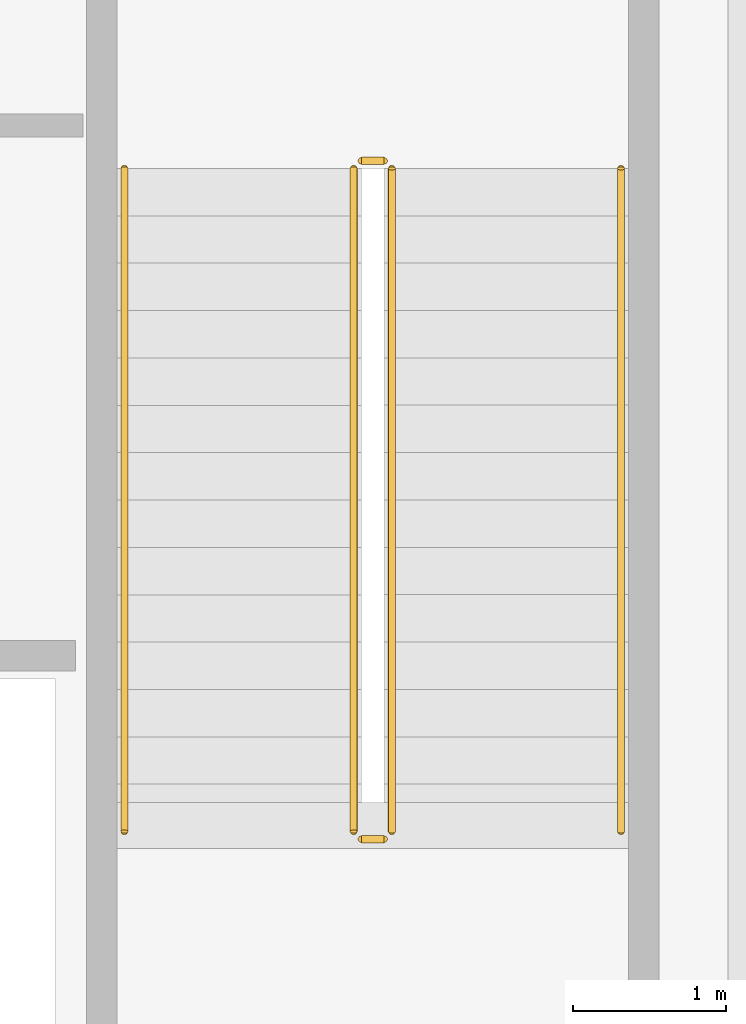
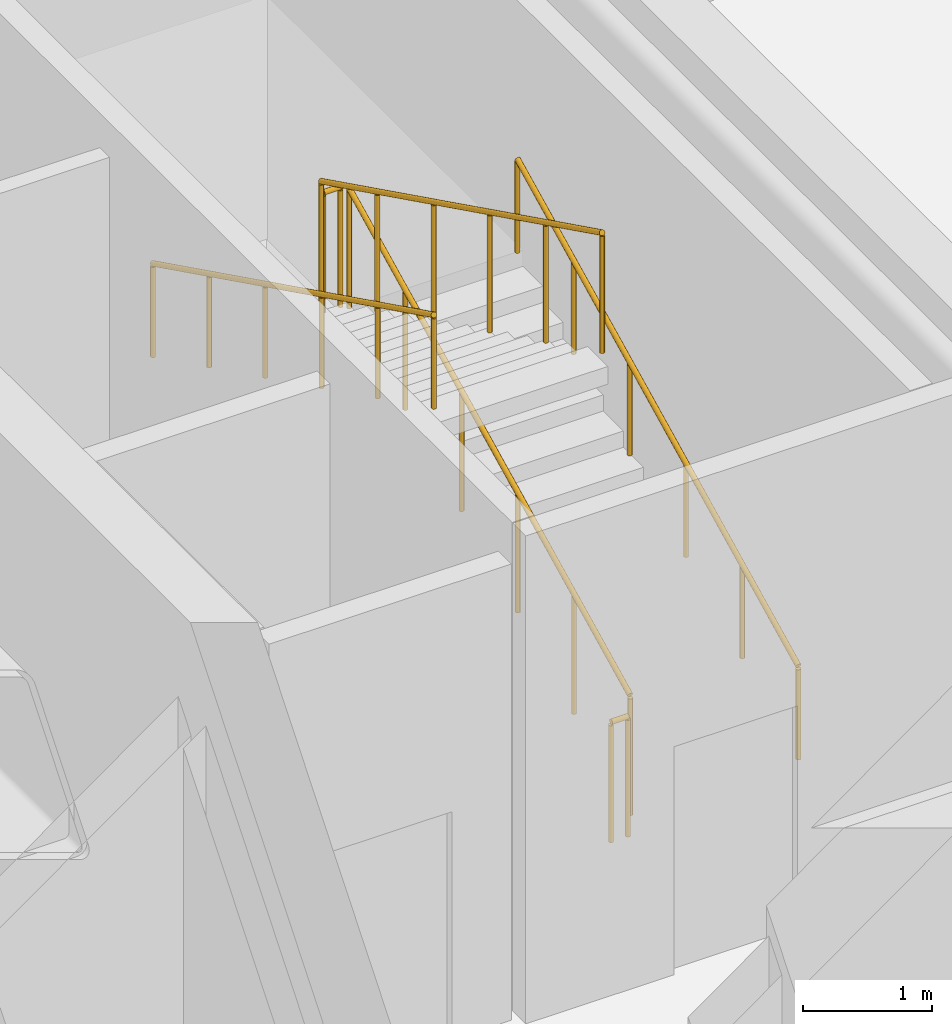
# One storey, part 13 of 14: 6 railings.
"""IFC4 building model written with IfcOpenShell, lengths in metres."""

from ifc_helpers import new_model, si_unit, direction, frame, origin, origin_2d, place, context, subcontext, project, spatial, circle, extrude, material, type_object, element, save


model = new_model("IFC4")

# Units and contexts
model_context = context("Model", 3, precision=1e-05, world=origin(), true_north=direction((0.0, 1.0)))
body_context = subcontext(model_context, "Body", "Model", "MODEL_VIEW")
ifc_project = project(units=[si_unit("LENGTHUNIT", "METRE"), si_unit("AREAUNIT", "SQUARE_METRE"), si_unit("VOLUMEUNIT", "CUBIC_METRE"), si_unit("PLANEANGLEUNIT", "RADIAN"), si_unit("MASSUNIT", "GRAM", prefix="KILO")], contexts=[model_context])

# Site, building, storey
site_placement = place(None, origin())
site = spatial("IfcSite", under=ifc_project, at=site_placement, CompositionType="ELEMENT")
building_placement = place(site_placement, origin())
building = spatial("IfcBuilding", under=site, at=building_placement, Name="Vaeldorn Concourse Tower", CompositionType="ELEMENT")
storey_placement = place(building_placement, frame((0.0, 0.0, 303.800048828125)))
storey = spatial("IfcBuildingStorey", under=building, at=storey_placement, Name="L78", CompositionType="ELEMENT", Elevation=303.800048828125)

# Railings
ifc_material = material(Name="Anodised Bronze Aluminium", Category="aluminium")
railing_type_1 = type_object("IfcRailingType", Name="RL-STAIR-GUARD", PredefinedType="GUARDRAIL", material=ifc_material)
railing_1_placement = place(storey_placement, frame((51.39990234375, 41.60009765625, 0.1533203125)))
element("IfcRailing", 1, at=railing_1_placement, inside=storey, type_object=railing_type_1, Name="L78 ST-2 stair guard 1", PredefinedType="GUARDRAIL", context=body_context, shape_type="SweptSolid", body=[
    extrude(circle(Radius=0.02392578125, at=origin_2d()), frame((0.0, 0.0, 1.1259765625), z_axis=(0.0, 0.896335089171, 0.443377274926), x_axis=(-1.0, 0.0, 0.0)), (0.0, 0.0, 1.0), 4.841796875),
    extrude(circle(Radius=0.02099609375, at=origin_2d()), origin(), (0.0, 0.0, 1.0), 1.101806640625),
    extrude(circle(Radius=0.02099609375, at=origin_2d()), frame((0.0, 0.867919921875, 0.429443359375)), (0.0, 0.0, 1.0), 1.101806640625),
    extrude(circle(Radius=0.02099609375, at=origin_2d()), frame((0.0, 1.73583984375, 0.858642578125)), (0.0, 0.0, 1.0), 1.101806640625),
    extrude(circle(Radius=0.02099609375, at=origin_2d()), frame((0.0, 2.60400390625, 1.2880859375)), (0.0, 0.0, 1.0), 1.101806640625),
    extrude(circle(Radius=0.02099609375, at=origin_2d()), frame((0.0, 3.471923828125, 1.71728515625)), (0.0, 0.0, 1.0), 1.101806640625),
    extrude(circle(Radius=0.02099609375, at=origin_2d()), frame((0.0, 4.33984375, 2.146728515625)), (0.0, 0.0, 1.0), 1.101806640625),
])
railing_2_placement = place(storey_placement, frame((51.35009765625, 45.989990234375, 2.300048828125)))
element("IfcRailing", 2, at=railing_2_placement, inside=storey, type_object=railing_type_1, Name="L78 ST-2 stair guard 2", PredefinedType="GUARDRAIL", context=body_context, shape_type="SweptSolid", body=[
    extrude(circle(Radius=0.02392578125, at=origin_2d()), frame((0.0, 0.0, 1.1259765625), z_axis=(-1.0, 0.0, 0.0), x_axis=(0.0, -1.0, 0.0)), (0.0, 0.0, 1.0), 0.150146484375),
    extrude(circle(Radius=0.02099609375, at=origin_2d()), origin(), (0.0, 0.0, 1.0), 1.101806640625),
    extrude(circle(Radius=0.02099609375, at=origin_2d()), frame((-0.150146484375, 0.0, 0.0)), (0.0, 0.0, 1.0), 1.101806640625),
])
railing_3_placement = place(storey_placement, frame((51.14990234375, 45.93994140625, 2.453369140625)))
element("IfcRailing", 3, at=railing_3_placement, inside=storey, type_object=railing_type_1, Name="L78 ST-2 stair guard 3", PredefinedType="GUARDRAIL", context=body_context, shape_type="SweptSolid", body=[
    extrude(circle(Radius=0.02392578125, at=origin_2d()), frame((0.0, 0.0, 1.1259765625), z_axis=(0.0, -0.896355127895, 0.443336762176), x_axis=(1.0, 0.0, 0.0)), (0.0, 0.0, 1.0), 4.841552734375),
    extrude(circle(Radius=0.02099609375, at=origin_2d()), origin(), (0.0, 0.0, 1.0), 1.101806640625),
    extrude(circle(Radius=0.02099609375, at=origin_2d()), frame((0.0, -0.867919921875, 0.42919921875)), (0.0, 0.0, 1.0), 1.101806640625),
    extrude(circle(Radius=0.02099609375, at=origin_2d()), frame((0.0, -1.73583984375, 0.858642578125)), (0.0, 0.0, 1.0), 1.101806640625),
    extrude(circle(Radius=0.02099609375, at=origin_2d()), frame((0.0, -2.60400390625, 1.287841796875)), (0.0, 0.0, 1.0), 1.101806640625),
    extrude(circle(Radius=0.02099609375, at=origin_2d()), frame((0.0, -3.471923828125, 1.71728515625)), (0.0, 0.0, 1.0), 1.101806640625),
    extrude(circle(Radius=0.02099609375, at=origin_2d()), frame((0.0, -4.33984375, 2.146484375)), (0.0, 0.0, 1.0), 1.101806640625),
])
railing_4_placement = place(storey_placement, frame((51.35009765625, 41.550048828125, 0.0)))
element("IfcRailing", 4, at=railing_4_placement, inside=storey, type_object=railing_type_1, Name="L78 ST-2 stair guard 4", PredefinedType="GUARDRAIL", context=body_context, shape_type="SweptSolid", body=[
    extrude(circle(Radius=0.02392578125, at=origin_2d()), frame((0.0, 0.0, 1.1259765625), z_axis=(-1.0, 0.0, 0.0), x_axis=(0.0, -1.0, 0.0)), (0.0, 0.0, 1.0), 0.150146484375),
    extrude(circle(Radius=0.02099609375, at=origin_2d()), origin(), (0.0, 0.0, 1.0), 1.101806640625),
    extrude(circle(Radius=0.02099609375, at=origin_2d()), frame((-0.150146484375, 0.0, 0.0)), (0.0, 0.0, 1.0), 1.101806640625),
])
railing_type_2 = type_object("IfcRailingType", Name="RL-STAIR-HANDRAIL", PredefinedType="HANDRAIL", material=ifc_material)
railing_5_placement = place(storey_placement, frame((52.89990234375, 41.60009765625, 0.1533203125)))
element("IfcRailing", 5, at=railing_5_placement, inside=storey, type_object=railing_type_2, Name="L78 ST-2 stair handrail 1", PredefinedType="HANDRAIL", context=body_context, shape_type="SweptSolid", body=[
    extrude(circle(Radius=0.02392578125, at=origin_2d()), frame((0.0, 0.0, 0.8759765625), z_axis=(0.0, 0.896335089171, 0.443377274926), x_axis=(-1.0, 0.0, 0.0)), (0.0, 0.0, 1.0), 4.841796875),
    extrude(circle(Radius=0.02099609375, at=origin_2d()), origin(), (0.0, 0.0, 1.0), 0.851806640625),
    extrude(circle(Radius=0.02099609375, at=origin_2d()), frame((0.0, 0.867919921875, 0.429443359375)), (0.0, 0.0, 1.0), 0.851806640625),
    extrude(circle(Radius=0.02099609375, at=origin_2d()), frame((0.0, 1.73583984375, 0.858642578125)), (0.0, 0.0, 1.0), 0.851806640625),
    extrude(circle(Radius=0.02099609375, at=origin_2d()), frame((0.0, 2.60400390625, 1.2880859375)), (0.0, 0.0, 1.0), 0.851806640625),
    extrude(circle(Radius=0.02099609375, at=origin_2d()), frame((0.0, 3.471923828125, 1.71728515625)), (0.0, 0.0, 1.0), 0.851806640625),
    extrude(circle(Radius=0.02099609375, at=origin_2d()), frame((0.0, 4.33984375, 2.146728515625)), (0.0, 0.0, 1.0), 0.851806640625),
])
railing_6_placement = place(storey_placement, frame((49.64990234375, 45.93994140625, 2.453369140625)))
element("IfcRailing", 6, at=railing_6_placement, inside=storey, type_object=railing_type_2, Name="L78 ST-2 stair handrail 2", PredefinedType="HANDRAIL", context=body_context, shape_type="SweptSolid", body=[
    extrude(circle(Radius=0.02392578125, at=origin_2d()), frame((0.0, 0.0, 0.8759765625), z_axis=(0.0, -0.896355127895, 0.443336762176), x_axis=(1.0, 0.0, 0.0)), (0.0, 0.0, 1.0), 4.841552734375),
    extrude(circle(Radius=0.02099609375, at=origin_2d()), origin(), (0.0, 0.0, 1.0), 0.851806640625),
    extrude(circle(Radius=0.02099609375, at=origin_2d()), frame((0.0, -0.867919921875, 0.42919921875)), (0.0, 0.0, 1.0), 0.851806640625),
    extrude(circle(Radius=0.02099609375, at=origin_2d()), frame((0.0, -1.73583984375, 0.858642578125)), (0.0, 0.0, 1.0), 0.851806640625),
    extrude(circle(Radius=0.02099609375, at=origin_2d()), frame((0.0, -2.60400390625, 1.287841796875)), (0.0, 0.0, 1.0), 0.851806640625),
    extrude(circle(Radius=0.02099609375, at=origin_2d()), frame((0.0, -3.471923828125, 1.71728515625)), (0.0, 0.0, 1.0), 0.851806640625),
    extrude(circle(Radius=0.02099609375, at=origin_2d()), frame((0.0, -4.33984375, 2.146484375)), (0.0, 0.0, 1.0), 0.851806640625),
])

save(model, "model.ifc")
